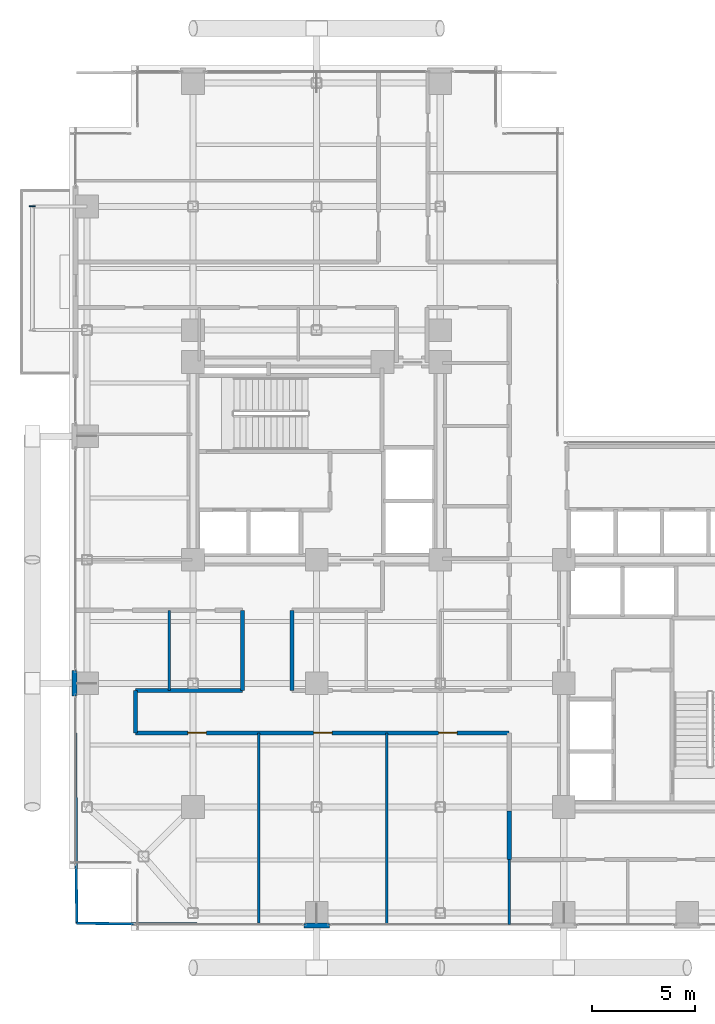
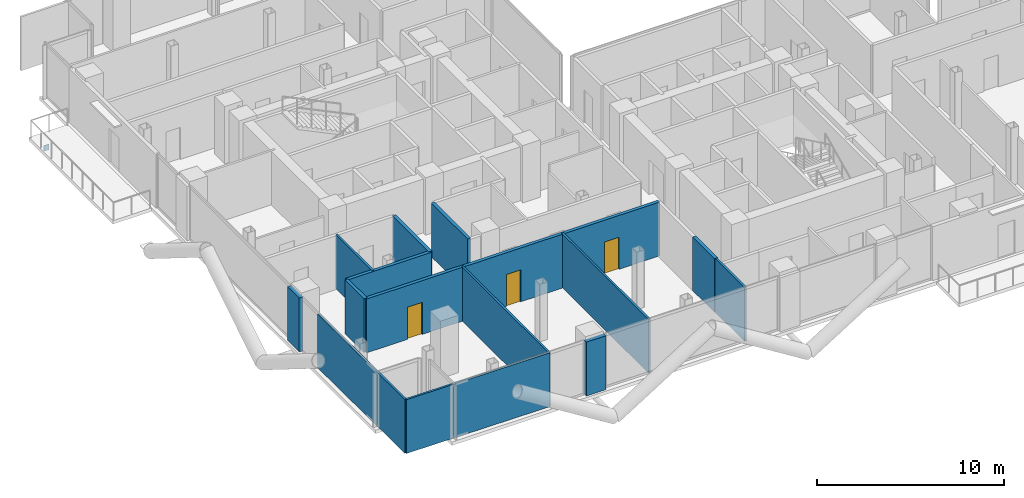
# One storey, part 21 of 28: 14 walls, 3 doors, 1 plate, 3 openings.
"""IFC4 building model written with IfcOpenShell, lengths in metres."""

import ifcopenshell
import ifcopenshell.guid

model = None  # the IFC model being written
_history = None  # IfcOwnerHistory: only IFC2X3 demands one
_inside = {}  # id of a spatial element -> (the spatial element, [elements in it])
_under = {}  # id of a project, library or spatial element -> (it, [spatial elements below it])
_declared = {}  # id of a project -> (the project, [libraries it declares])
_typed = {}  # id of a type object -> (the type object, [elements of that type])
_made_of = {}  # id of a material, layer set ... -> (it, [elements and type objects made of it])


def new_model(schema):
    """Start an empty IFC model of exactly this schema.

    Asked for "IFC4X3", IfcOpenShell would pick the latest addendum, in which some entities
    have other attributes; the version numbers below select the first issue.
    IFC2X3 requires an IfcOwnerHistory on every rooted entity: one is made here for all.
    """
    global model, _history
    if schema == "IFC4X3":
        model = ifcopenshell.file(schema_version=(4, 3, 0, 0))
    else:
        model = ifcopenshell.file(schema=schema)
    _inside.clear()
    _under.clear()
    _declared.clear()
    _typed.clear()
    _made_of.clear()
    _history = None
    if model.schema == "IFC2X3":
        org = make("IfcOrganization", Name="unknown")
        user = make(
            "IfcPersonAndOrganization",
            ThePerson=make("IfcPerson", FamilyName="unknown"),
            TheOrganization=org,
        )
        app = make(
            "IfcApplication",
            ApplicationDeveloper=org,
            Version="unknown",
            ApplicationFullName="unknown",
            ApplicationIdentifier="unknown",
        )
        _history = make(
            "IfcOwnerHistory",
            OwningUser=user,
            OwningApplication=app,
            ChangeAction="ADDED",
            CreationDate=0,
        )
    return model


def make(cls, **values):
    """One entity of the class cls with the attributes given. An attribute that is None is left unset."""
    return model.create_entity(
        cls, **{name: value for name, value in values.items() if value is not None}
    )


def rooted(cls, **values):
    """An entity with a GlobalId (a new one), such as an element, a storey or a relation."""
    return make(cls, GlobalId=ifcopenshell.guid.new(), OwnerHistory=_history, **values)


def si_unit(unit_type, name, prefix=None):
    """IfcSIUnit, for example si_unit("LENGTHUNIT", "METRE", prefix="MILLI")."""
    return make("IfcSIUnit", UnitType=unit_type, Prefix=prefix, Name=name)


def assignment(units):
    """IfcUnitAssignment: the units of a project."""
    return None if units is None else make("IfcUnitAssignment", Units=units)


def point(xyz):
    """IfcCartesianPoint."""
    return None if xyz is None else make("IfcCartesianPoint", Coordinates=xyz)


def direction(xyz):
    """IfcDirection."""
    return None if xyz is None else make("IfcDirection", DirectionRatios=xyz)


def frame(location, z_axis=None, x_axis=None):
    """IfcAxis2Placement3D, a coordinate frame: its origin and axes. An axis left out is left unset."""
    return make(
        "IfcAxis2Placement3D",
        Location=point(location),
        Axis=direction(z_axis),
        RefDirection=direction(x_axis),
    )


def frame_2d(location, x_axis=None):
    """IfcAxis2Placement2D, a coordinate frame in the plane: its origin and x axis."""
    return make(
        "IfcAxis2Placement2D", Location=point(location), RefDirection=direction(x_axis)
    )


def origin():
    """The frame at (0, 0, 0) with its axes left unset."""
    return frame((0.0, 0.0, 0.0))


def origin_2d():
    """The frame at (0, 0) in the plane with its x axis left unset."""
    return frame_2d((0.0, 0.0))


def place(relative_to, where):
    """IfcLocalPlacement: puts the frame where relative to a parent placement (None: the world)."""
    return make(
        "IfcLocalPlacement", PlacementRelTo=relative_to, RelativePlacement=where
    )


def context(
    kind, dimensions, precision=None, world=None, true_north=None, identifier=None
):
    """IfcGeometricRepresentationContext, for example the 3D "Model" context."""
    return make(
        "IfcGeometricRepresentationContext",
        ContextIdentifier=identifier,
        ContextType=kind,
        CoordinateSpaceDimension=dimensions,
        Precision=precision,
        WorldCoordinateSystem=world,
        TrueNorth=true_north,
    )


def subcontext(parent, identifier, kind, view, scale=None):
    """IfcGeometricRepresentationSubContext, for example "Body" below "Model"."""
    return make(
        "IfcGeometricRepresentationSubContext",
        ContextIdentifier=identifier,
        ContextType=kind,
        ParentContext=parent,
        TargetScale=scale,
        TargetView=view,
    )


def project(units=None, contexts=None):
    """IfcProject with its units and contexts."""
    return rooted(
        "IfcProject",
        Name="project",
        RepresentationContexts=contexts,
        UnitsInContext=assignment(units),
    )


def spatial(cls, under=None, at=None, **own):
    """A site, building, storey or space (cls), placed at a placement, below another one or the project."""
    s = rooted(cls, ObjectPlacement=at, **own)
    if under is not None:
        _under.setdefault(under.id(), (under, []))[1].append(s)
    return s


def profile(cls, at=None, kind="AREA", **sizes):
    """A parametric profile (cls). Its sizes go by their IFC names, for example OverallWidth=200.0."""
    return make(cls, ProfileType=kind, Position=at, **sizes)


def rectangle(**sizes):
    """IfcRectangleProfileDef."""
    return profile("IfcRectangleProfileDef", **sizes)


def extrude(swept, where, along, depth):
    """IfcExtrudedAreaSolid: the profile swept, set in the frame where, extruded along a direction by depth."""
    return make(
        "IfcExtrudedAreaSolid",
        SweptArea=swept,
        Position=where,
        ExtrudedDirection=direction(along),
        Depth=depth,
    )


def shape(context_of_items, identifier, shape_type, items):
    """IfcShapeRepresentation: the items that make up one representation, for example the "Body"."""
    return make(
        "IfcShapeRepresentation",
        ContextOfItems=context_of_items,
        RepresentationIdentifier=identifier,
        RepresentationType=shape_type,
        Items=items,
    )


def material(Name=None, Category=None):
    """IfcMaterial."""
    return make("IfcMaterial", Name=Name, Category=Category)


def layer(
    of_material, thickness, ventilated=None, Name=None, Category=None, Priority=None
):
    """IfcMaterialLayer: one layer of a wall or slab, of a material (None: an air gap)."""
    return make(
        "IfcMaterialLayer",
        Material=of_material,
        LayerThickness=thickness,
        IsVentilated=ventilated,
        Name=Name,
        Category=Category,
        Priority=Priority,
    )


def layer_set(layers, Name=None):
    """IfcMaterialLayerSet."""
    return make("IfcMaterialLayerSet", MaterialLayers=layers, LayerSetName=Name)


def made_of(thing, what):
    """Note that an element or type object is made of a material, layer set ...; save() writes the relation."""
    if what is not None:
        _made_of.setdefault(what.id(), (what, []))[1].append(thing)
    return thing


def type_object(cls, material=None, **own):
    """A type object (cls), such as IfcWallType, which elements share."""
    return made_of(rooted(cls, **own), material)


def element(
    cls,
    number,
    at=None,
    inside=None,
    cuts=None,
    type_object=None,
    material=None,
    context=None,
    identifier="Body",
    shape_type=None,
    held_by="IfcProductDefinitionShape",
    body=None,
    shapes=None,
    **own,
):
    """One element of the class cls, such as IfcWall. Its Tag is "e" and its number.

    at: its placement. inside: the storey or other place that contains it. cuts: it is an
    opening in that element (IfcRelVoidsElement). A single representation is given by context,
    identifier, shape_type and body (its items); several are given by shapes. held_by: the class
    of the entity that holds the representations. save() writes the other relations.
    """
    e = rooted(cls, Tag="e%d" % number, ObjectPlacement=at, **own)
    if body is not None:
        shapes = [shape(context, identifier, shape_type, body)]
    if shapes is not None:
        e.Representation = make(held_by, Representations=shapes)
    if inside is not None:
        _inside.setdefault(inside.id(), (inside, []))[1].append(e)
    if cuts is not None:
        rooted(
            "IfcRelVoidsElement", RelatingBuildingElement=cuts, RelatedOpeningElement=e
        )
    if type_object is not None:
        _typed.setdefault(type_object.id(), (type_object, []))[1].append(e)
    return made_of(e, material)


def fill(opening, filler):
    """IfcRelFillsElement: the door or window that sits in an opening."""
    return rooted(
        "IfcRelFillsElement",
        RelatingOpeningElement=opening,
        RelatedBuildingElement=filler,
    )


def aggregate(whole, parts):
    """IfcRelAggregates: a whole, such as a stair, and the parts it consists of."""
    return rooted("IfcRelAggregates", RelatingObject=whole, RelatedObjects=parts)


def save(model, path):
    """Write the relations noted so far, then the file.

    IfcRelAggregates (storeys below a building ...), IfcRelContainedInSpatialStructure (elements
    in a storey), IfcRelDefinesByType, IfcRelAssociatesMaterial and IfcRelDeclares: one each for
    every whole, place, type object, material and project.
    """
    for whole, parts in _under.values():
        aggregate(whole, parts)
    for where, things in _inside.values():
        rooted(
            "IfcRelContainedInSpatialStructure",
            RelatedElements=things,
            RelatingStructure=where,
        )
    for kind, things in _typed.values():
        rooted("IfcRelDefinesByType", RelatedObjects=things, RelatingType=kind)
    for what, things in _made_of.values():
        rooted("IfcRelAssociatesMaterial", RelatedObjects=things, RelatingMaterial=what)
    for by, libraries in _declared.values():
        rooted("IfcRelDeclares", RelatingContext=by, RelatedDefinitions=libraries)
    model.write(path)


model = new_model("IFC4")

# Units and contexts
model_context = context("Model", 3, precision=1e-05, world=origin(), true_north=direction((0.0, 1.0)))
body_context = subcontext(model_context, "Body", "Model", "MODEL_VIEW")
ifc_project = project(units=[si_unit("LENGTHUNIT", "METRE"), si_unit("AREAUNIT", "SQUARE_METRE"), si_unit("VOLUMEUNIT", "CUBIC_METRE"), si_unit("PLANEANGLEUNIT", "RADIAN"), si_unit("MASSUNIT", "GRAM", prefix="KILO"), si_unit("THERMODYNAMICTEMPERATUREUNIT", "KELVIN"), si_unit("POWERUNIT", "WATT")], contexts=[model_context])

# Site, building, storey
site_placement = place(None, origin())
site = spatial("IfcSite", under=ifc_project, at=site_placement, CompositionType="ELEMENT")
building_placement = place(site_placement, origin())
building = spatial("IfcBuilding", under=site, at=building_placement, Name="Svarakhadi Broadcast Tower", CompositionType="ELEMENT")
storey_placement = place(building_placement, frame((0.0, 0.0, 153.14990234375)))
storey = spatial("IfcBuildingStorey", under=building, at=storey_placement, Name="L37", CompositionType="ELEMENT", Elevation=153.14990234375)

# Plate
ifc_material_1 = material(Name="Steel S460ML (IS 2062 E450BR)", Category="steel")
ifc_layer_1 = layer(ifc_material_1, 0.028076171875)
ifc_layer_set_1 = layer_set([ifc_layer_1], Name="Steel S460ML (IS 2062 E450BR)")
plate_type = type_object("IfcPlateType", Name="Cap_Plate_CP02", PredefinedType="USERDEFINED", material=ifc_layer_set_1)
plate_placement = place(storey_placement, frame((-1.800048828125, 35.1650390625, -0.55517578125), z_axis=(0.0, 0.0, 1.0), x_axis=(1.0, 0.0, 0.0)))
element("IfcPlate", 1, at=plate_placement, inside=storey, type_object=plate_type, Name="L37 Balcony Spandrel End Cap Plate 2F-B", ObjectType="FLANGE_PLATE", PredefinedType="USERDEFINED", context=body_context, shape_type="SweptSolid", body=[
    extrude(rectangle(XDim=0.300048828125, YDim=0.0400390625, at=origin_2d()), origin(), (0.0, 0.0, 1.0), 0.360107421875),
])

# Walls
ifc_material_2 = material(Name="Concrete C40/50 (IS 456 M50)", Category="concrete")
ifc_layer_2 = layer(ifc_material_2, 0.239990234375)
ifc_layer_set_2 = layer_set([ifc_layer_2], Name="Concrete C40/50 (IS 456 M50)")
wall_type_1 = type_object("IfcWallType", Name="Wall_Ext_240", PredefinedType="SOLIDWALL", material=ifc_layer_set_2)
for number, where, z_axis, x_axis, name in (
    (2, (0.239990234375, 11.385009765625, 0.0), (0.0, 0.0, 1.0), (0.0, 1.0, 0.0), "L37 Perimeter Bronze Spandrel Closure Wall 01"),
    (3, (12.614990234375, 0.239990234375, 0.0), (0.0, 0.0, 1.0), (-1.0, 0.0, 0.0), "L37 Perimeter Bronze Spandrel Closure Wall 08"),
):
    element("IfcWall", number, at=place(storey_placement, frame(where, z_axis=z_axis, x_axis=x_axis)), inside=storey, type_object=wall_type_1, Name=name, PredefinedType="SOLIDWALL", context=body_context, shape_type="SweptSolid", body=[
        extrude(rectangle(XDim=1.22998046875, YDim=0.239990234375, at=frame_2d((0.614990234375, 0.0))), origin(), (0.0, 0.0, 1.0), 3.525146484375),
    ])
ifc_layer_3 = layer(ifc_material_2, 0.199951171875)
ifc_layer_set_3 = layer_set([ifc_layer_3], Name="Concrete C40/50 (IS 456 M50)")
wall_type_2 = type_object("IfcWallType", Name="Wall_Fire_200", PredefinedType="SOLIDWALL", material=ifc_layer_set_3)
wall_1_placement = place(storey_placement, frame((21.35009765625, 3.449951171875, 0.0), z_axis=(0.0, 0.0, 1.0), x_axis=(0.0, 1.0, 0.0)))
element("IfcWall", 4, at=wall_1_placement, inside=storey, type_object=wall_type_2, Name="L37 Zone 2/3 Corridor Wall", PredefinedType="SOLIDWALL", context=body_context, shape_type="SweptSolid", body=[
    extrude(rectangle(XDim=2.35009765625, YDim=0.199951171875, at=frame_2d((1.175048828125, 0.0))), origin(), (0.0, 0.0, 1.0), 3.525146484375),
])

# Wall, openings, doors
wall_2_placement = place(storey_placement, frame((21.35009765625, 9.60009765625, 0.0), z_axis=(0.0, 0.0, 1.0), x_axis=(-1.0, 0.0, 0.0)))
wall_2 = element("IfcWall", 5, at=wall_2_placement, inside=storey, type_object=wall_type_2, Name="L37 Zone 2/3 Corridor Wall", PredefinedType="SOLIDWALL", context=body_context, shape_type="SweptSolid", body=[
    extrude(rectangle(XDim=18.150146484375, YDim=0.199951171875, at=frame_2d((9.0751953125, 0.0))), origin(), (0.0, 0.0, 1.0), 3.525146484375),
])
opening_1_placement = place(wall_2_placement, frame((14.699951171875, 0.0, 0.0)))
opening_1 = element("IfcOpeningElement", 6, at=opening_1_placement, cuts=wall_2, Name="Opening D-14", PredefinedType="OPENING", context=body_context, shape_type="SweptSolid", body=[
    extrude(rectangle(XDim=0.89990234375, YDim=2.10009765625, at=frame_2d((0.449951171875, 1.050048828125))), frame((0.0, 0.10986328125, 0.0), z_axis=(0.0, -1.0, 0.0), x_axis=(1.0, 0.0, 0.0)), (0.0, 0.0, 1.0), 0.219970703125),
])
opening_2_placement = place(wall_2_placement, frame((8.60009765625, 0.0, 0.0)))
opening_2 = element("IfcOpeningElement", 7, at=opening_2_placement, cuts=wall_2, Name="Opening D-15", PredefinedType="OPENING", context=body_context, shape_type="SweptSolid", body=[
    extrude(rectangle(XDim=0.89990234375, YDim=2.10009765625, at=frame_2d((0.449951171875, 1.050048828125))), frame((0.0, 0.10986328125, 0.0), z_axis=(0.0, -1.0, 0.0), x_axis=(1.0, 0.0, 0.0)), (0.0, 0.0, 1.0), 0.219970703125),
])
opening_3_placement = place(wall_2_placement, frame((2.52490234375, 0.0, 0.0)))
opening_3 = element("IfcOpeningElement", 8, at=opening_3_placement, cuts=wall_2, Name="Opening D-14", PredefinedType="OPENING", context=body_context, shape_type="SweptSolid", body=[
    extrude(rectangle(XDim=0.89990234375, YDim=2.10009765625, at=frame_2d((0.449951171875, 1.050048828125))), frame((0.0, 0.10986328125, 0.0), z_axis=(0.0, -1.0, 0.0), x_axis=(1.0, 0.0, 0.0)), (0.0, 0.0, 1.0), 0.219970703125),
])
ifc_material_3 = material(Name="Solid-Core Teak Veneer Acoustic Timber Leaf", Category="wood")
door_type_1 = type_object("IfcDoorType", Name="Door_Int_D14", OperationType="SINGLE_SWING_LEFT", PredefinedType="DOOR", material=ifc_material_3)
door_1_placement = place(opening_1_placement, origin())
door_1 = element("IfcDoor", 9, at=door_1_placement, inside=storey, type_object=door_type_1, Name="L37 Orchestral Scoring Control Room Door", OperationType="SINGLE_SWING_LEFT", OverallHeight=2.10009765625, OverallWidth=0.89990234375, PredefinedType="DOOR", context=body_context, shape_type="SweptSolid", body=[
    extrude(rectangle(XDim=0.89990234375, YDim=2.10009765625, at=frame_2d((0.449951171875, 1.050048828125))), frame((0.0, 0.02490234375, 0.0), z_axis=(0.0, -1.0, 0.0), x_axis=(1.0, 0.0, 0.0)), (0.0, 0.0, 1.0), 0.050048828125),
])
fill(opening_1, door_1)
door_2_placement = place(opening_3_placement, origin())
door_2 = element("IfcDoor", 10, at=door_2_placement, inside=storey, type_object=door_type_1, Name="L37 Musicians Green Lounge Door", OperationType="SINGLE_SWING_LEFT", OverallHeight=2.10009765625, OverallWidth=0.89990234375, PredefinedType="DOOR", context=body_context, shape_type="SweptSolid", body=[
    extrude(rectangle(XDim=0.89990234375, YDim=2.10009765625, at=frame_2d((0.449951171875, 1.050048828125))), frame((0.0, 0.02490234375, 0.0), z_axis=(0.0, -1.0, 0.0), x_axis=(1.0, 0.0, 0.0)), (0.0, 0.0, 1.0), 0.050048828125),
])
fill(opening_3, door_2)
door_type_2 = type_object("IfcDoorType", Name="Door_Int_D15", OperationType="SINGLE_SWING_RIGHT", PredefinedType="DOOR", material=ifc_material_3)
door_3_placement = place(opening_2_placement, origin())
door_3 = element("IfcDoor", 11, at=door_3_placement, inside=storey, type_object=door_type_2, Name="L37 Percussion Isolation Studio Door", OperationType="SINGLE_SWING_RIGHT", OverallHeight=2.10009765625, OverallWidth=0.89990234375, PredefinedType="DOOR", context=body_context, shape_type="SweptSolid", body=[
    extrude(rectangle(XDim=0.89990234375, YDim=2.10009765625, at=frame_2d((0.449951171875, 1.050048828125))), frame((0.0, 0.02490234375, 0.0), z_axis=(0.0, -1.0, 0.0), x_axis=(1.0, 0.0, 0.0)), (0.0, 0.0, 1.0), 0.050048828125),
])
fill(opening_2, door_3)

# Walls
wall_3_placement = place(storey_placement, frame((3.199951171875, 9.60009765625, 0.0), z_axis=(0.0, 0.0, 1.0), x_axis=(0.0, 1.0, 0.0)))
element("IfcWall", 12, at=wall_3_placement, inside=storey, type_object=wall_type_2, Name="L37 Zone 2/3 Corridor Wall", PredefinedType="SOLIDWALL", context=body_context, shape_type="SweptSolid", body=[
    extrude(rectangle(XDim=2.0498046875, YDim=0.199951171875, at=frame_2d((1.02490234375, 0.0))), origin(), (0.0, 0.0, 1.0), 3.525146484375),
])
wall_4_placement = place(storey_placement, frame((3.199951171875, 11.64990234375, 0.0), z_axis=(0.0, 0.0, 1.0), x_axis=(1.0, 0.0, 0.0)))
element("IfcWall", 13, at=wall_4_placement, inside=storey, type_object=wall_type_2, Name="L37 Zone 2/3 Corridor Wall", PredefinedType="SOLIDWALL", context=body_context, shape_type="SweptSolid", body=[
    extrude(rectangle(XDim=5.199951171875, YDim=0.199951171875, at=frame_2d((2.60009765625, 0.0))), origin(), (0.0, 0.0, 1.0), 3.525146484375),
])
for number, where, z_axis, x_axis, name in (
    (14, (8.39990234375, 11.64990234375, 0.0), (0.0, 0.0, 1.0), (0.0, 1.0, 0.0), "L37 Zone 2/3 Corridor Wall"),
    (15, (10.800048828125, 15.550048828125, 0.0), (0.0, 0.0, 1.0), (0.0, -1.0, 0.0), "L37 Zone 2/3 Corridor Wall"),
):
    element("IfcWall", number, at=place(storey_placement, frame(where, z_axis=z_axis, x_axis=x_axis)), inside=storey, type_object=wall_type_2, Name=name, PredefinedType="SOLIDWALL", context=body_context, shape_type="SweptSolid", body=[
        extrude(rectangle(XDim=3.900146484375, YDim=0.199951171875, at=frame_2d((1.9501953125, 0.0))), origin(), (0.0, 0.0, 1.0), 3.525146484375),
    ])
ifc_material_4 = material(Name="Fire-Rated Moisture-Resistant Gypsum Board Partition", Category="gypsum")
ifc_layer_4 = layer(ifc_material_4, 0.125)
ifc_layer_set_4 = layer_set([ifc_layer_4], Name="Fire-Rated Moisture-Resistant Gypsum Board Partition")
wall_type_3 = type_object("IfcWallType", Name="Wall_Part_125", PredefinedType="PARTITIONING", material=ifc_layer_set_4)
wall_5_placement = place(storey_placement, frame((21.35009765625, 0.300048828125, 0.0), z_axis=(0.0, 0.0, 1.0), x_axis=(0.0, 1.0, 0.0)))
element("IfcWall", 16, at=wall_5_placement, inside=storey, type_object=wall_type_3, Name="L37 Harbour Front Production Office Wall", PredefinedType="PARTITIONING", context=body_context, shape_type="SweptSolid", body=[
    extrude(rectangle(XDim=3.14990234375, YDim=0.125, at=frame_2d((1.574951171875, 0.0))), origin(), (0.0, 0.0, 1.0), 3.525146484375),
])
wall_6_placement = place(storey_placement, frame((0.35009765625, 0.35009765625, 0.0), z_axis=(0.0, 0.0, 1.0), x_axis=(0.999984009014, -0.005655237989, 0.0)))
element("IfcWall", 17, at=wall_6_placement, inside=storey, type_object=wall_type_3, Name="L37 Orchestral Scoring Control Room Wall", PredefinedType="PARTITIONING", context=body_context, shape_type="SweptSolid", body=[
    extrude(rectangle(XDim=8.85009765625, YDim=0.125, at=frame_2d((4.425048828125, 0.0))), origin(), (0.0, 0.0, 1.0), 3.525146484375),
])
wall_7_placement = place(storey_placement, frame((0.35009765625, 0.35009765625, 0.0), z_axis=(0.0, 0.0, 1.0), x_axis=(-0.005410604923, 0.99998536257, 0.0)))
element("IfcWall", 18, at=wall_7_placement, inside=storey, type_object=wall_type_3, Name="L37 Orchestral Scoring Control Room Wall", PredefinedType="PARTITIONING", context=body_context, shape_type="SweptSolid", body=[
    extrude(rectangle(XDim=9.250244140625, YDim=0.125, at=frame_2d((4.625, 0.0))), origin(), (0.0, 0.0, 1.0), 3.525146484375),
])
for number, where, z_axis, x_axis, name in (
    (19, (9.199951171875, 0.300048828125, 0.0), (0.0, 0.0, 1.0), (0.0, 1.0, 0.0), "L37 Orchestral Scoring Control Room Wall"),
    (20, (15.39990234375, 0.300048828125, 0.0), (0.0, 0.0, 1.0), (0.0, 1.0, 0.0), "L37 Percussion Isolation Studio Wall"),
):
    element("IfcWall", number, at=place(storey_placement, frame(where, z_axis=z_axis, x_axis=x_axis)), inside=storey, type_object=wall_type_3, Name=name, PredefinedType="PARTITIONING", context=body_context, shape_type="SweptSolid", body=[
        extrude(rectangle(XDim=9.300048828125, YDim=0.125, at=frame_2d((4.64990234375, 0.0))), origin(), (0.0, 0.0, 1.0), 3.525146484375),
    ])
wall_8_placement = place(storey_placement, frame((4.85009765625, 11.64990234375, 0.0), z_axis=(0.0, 0.0, 1.0), x_axis=(0.0, 1.0, 0.0)))
element("IfcWall", 21, at=wall_8_placement, inside=storey, type_object=wall_type_3, Name="L37 Vinyl and Atmos Mastering Room Wall", PredefinedType="PARTITIONING", context=body_context, shape_type="SweptSolid", body=[
    extrude(rectangle(XDim=3.900146484375, YDim=0.125, at=frame_2d((1.9501953125, 0.0))), origin(), (0.0, 0.0, 1.0), 3.525146484375),
])

save(model, "model.ifc")
